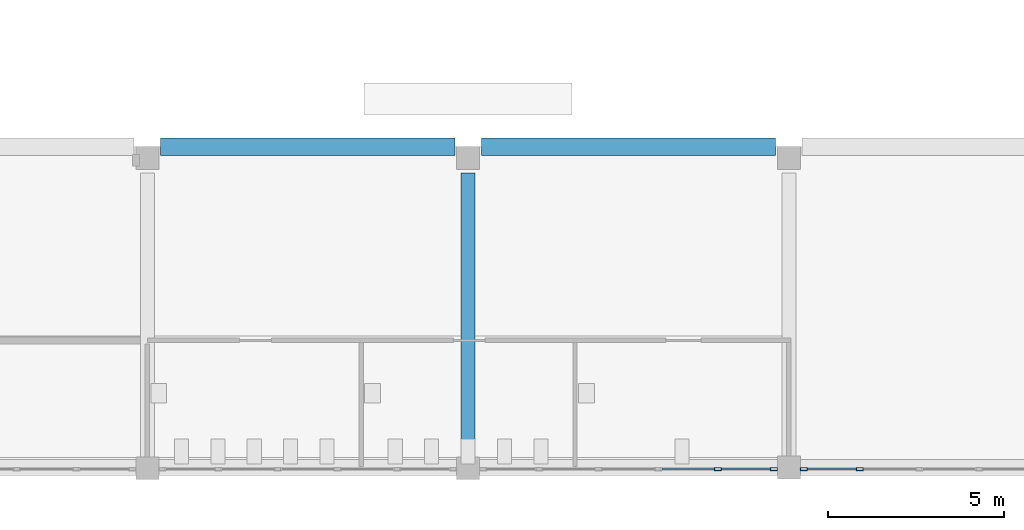
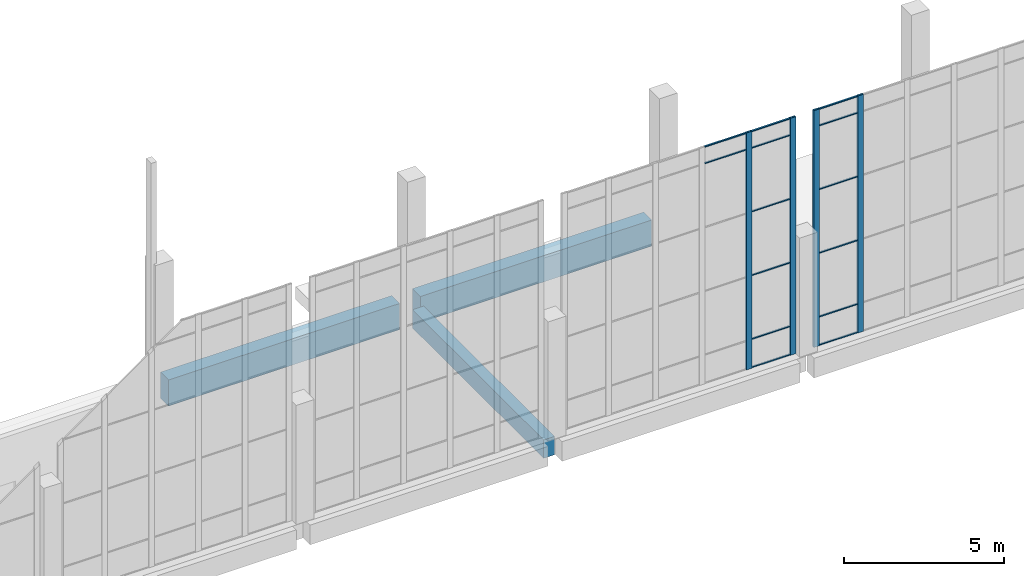
# One storey, part 12 of 91: 18 members, 3 beams, 2 elements without a shape of their own.
"""IFC4 building model written with IfcOpenShell, lengths in metres."""

from ifc_helpers import new_model, si_unit, direction, frame, origin, origin_2d, place, context, subcontext, project, spatial, rectangle, hollow_rectangle, extrude, material, layer, layer_set, material_profile, profile_set, type_object, element, aggregate, save


model = new_model("IFC4")

# Units and contexts
model_context = context("Model", 3, precision=1e-05, world=origin(), true_north=direction((0.0, 1.0)))
body_context = subcontext(model_context, "Body", "Model", "MODEL_VIEW")
ifc_project = project(units=[si_unit("LENGTHUNIT", "METRE"), si_unit("AREAUNIT", "SQUARE_METRE"), si_unit("VOLUMEUNIT", "CUBIC_METRE"), si_unit("PLANEANGLEUNIT", "RADIAN"), si_unit("MASSUNIT", "GRAM", prefix="KILO")], contexts=[model_context])

# Site, building, storey
site_placement = place(None, origin())
site = spatial("IfcSite", under=ifc_project, at=site_placement, CompositionType="ELEMENT")
building_placement = place(site_placement, origin())
building = spatial("IfcBuilding", under=site, at=building_placement, Name="Shirokan Park Arena", CompositionType="ELEMENT")
storey_placement = place(building_placement, frame((0.0, 0.0, 24.570068359375)))
storey = spatial("IfcBuildingStorey", under=building, at=storey_placement, Name="L05", CompositionType="ELEMENT", Elevation=24.570068359375)

# Curtain wall, members
ifc_material_1 = material(Name="Steel and glass curtain wall", Category="steel")
ifc_layer = layer(ifc_material_1, 0.199951171875)
ifc_layer_set = layer_set([ifc_layer], Name="Steel and glass curtain wall 200 mm")
curtain_wall_type = type_object("IfcCurtainWallType", Name="Curtain wall hall bay 200", PredefinedType="NOTDEFINED", material=ifc_layer_set)
curtain_wall_1_placement = place(storey_placement, origin())
curtain_wall_1 = element("IfcCurtainWall", 1, at=curtain_wall_1_placement, inside=storey, type_object=curtain_wall_type, Name="Curtain wall south bay 9 L05", PredefinedType="NOTDEFINED")
ifc_material_2 = material(Name="Steel S355", Category="steel")
ifc_material_profile_1 = material_profile(ifc_material_2, hollow_rectangle(XDim=0.080078125, YDim=0.199951171875, WallThickness=0.008056640625, at=origin_2d()), Name="RHS 200x80x8")
ifc_profile_set_1 = profile_set([ifc_material_profile_1], Name="Steel S355")
member_type_1 = type_object("IfcMemberType", Name="Mullion RHS 200x80x8", PredefinedType="MULLION", material=ifc_profile_set_1)
member_1_placement = place(storey_placement, frame((79.885009765625, -0.050048828125, 0.0), z_axis=(0.0, 0.0, 1.0), x_axis=(0.0, 1.0, 0.0)))
member_1 = element("IfcMember", 2, at=member_1_placement, type_object=member_type_1, Name="CW5 mullion 5", PredefinedType="MULLION", context=body_context, shape_type="SweptSolid", body=[
    extrude(hollow_rectangle(XDim=0.080078125, YDim=0.199951171875, WallThickness=0.008056640625, at=origin_2d()), origin(), (0.0, 0.0, 1.0), 9.050048828125),
])
member_2_placement = place(storey_placement, frame((81.47509765625, -0.050048828125, 0.0), z_axis=(0.0, 0.0, 1.0), x_axis=(0.0, 1.0, 0.0)))
member_2 = element("IfcMember", 3, at=member_2_placement, type_object=member_type_1, Name="CW5 mullion 6", PredefinedType="MULLION", context=body_context, shape_type="SweptSolid", body=[
    extrude(hollow_rectangle(XDim=0.080078125, YDim=0.199951171875, WallThickness=0.008056640625, at=origin_2d()), origin(), (0.0, 0.0, 1.0), 9.050048828125),
])

curtain_wall_2_placement = place(storey_placement, origin())
curtain_wall_2 = element("IfcCurtainWall", 4, at=curtain_wall_2_placement, inside=storey, type_object=curtain_wall_type, Name="Curtain wall south bay 10 L05", PredefinedType="NOTDEFINED")
member_3_placement = place(storey_placement, frame((82.324951171875, -0.050048828125, 0.0), z_axis=(0.0, 0.0, 1.0), x_axis=(0.0, 1.0, 0.0)))
member_3 = element("IfcMember", 5, at=member_3_placement, type_object=member_type_1, Name="CW5 mullion 1", PredefinedType="MULLION", context=body_context, shape_type="SweptSolid", body=[
    extrude(hollow_rectangle(XDim=0.080078125, YDim=0.199951171875, WallThickness=0.008056640625, at=origin_2d()), origin(), (0.0, 0.0, 1.0), 9.050048828125),
])
member_4_placement = place(storey_placement, frame((83.9150390625, -0.050048828125, 0.0), z_axis=(0.0, 0.0, 1.0), x_axis=(0.0, 1.0, 0.0)))
member_4 = element("IfcMember", 6, at=member_4_placement, type_object=member_type_1, Name="CW5 mullion 2", PredefinedType="MULLION", context=body_context, shape_type="SweptSolid", body=[
    extrude(hollow_rectangle(XDim=0.080078125, YDim=0.199951171875, WallThickness=0.008056640625, at=origin_2d()), origin(), (0.0, 0.0, 1.0), 9.050048828125),
])

# Beams
ifc_material_3 = material(Name="Concrete C35", Category="concrete")
ifc_material_profile_2 = material_profile(ifc_material_3, rectangle(XDim=0.39990234375, YDim=0.699951171875, at=origin_2d()), Name="400x700")
ifc_profile_set_2 = profile_set([ifc_material_profile_2], Name="Concrete C35")
beam_type_1 = type_object("IfcBeamType", Name="RC girder 400x700", PredefinedType="BEAM", material=ifc_profile_set_2)
beam_1_placement = place(storey_placement, frame((72.800048828125, 0.150146484375, -0.650146484375), z_axis=(0.0, 1.0, 0.0), x_axis=(-1.0, 0.0, 0.0)))
element("IfcBeam", 7, at=beam_1_placement, inside=storey, type_object=beam_type_1, Name="Girder 9A-9B L05", PredefinedType="BEAM", context=body_context, shape_type="SweptSolid", body=[
    extrude(rectangle(XDim=0.39990234375, YDim=0.699951171875, at=origin_2d()), origin(), (0.0, 0.0, 1.0), 8.19970703125),
])
ifc_material_profile_3 = material_profile(ifc_material_3, rectangle(XDim=0.5, YDim=1.0, at=origin_2d()), Name="500x1000")
ifc_profile_set_3 = profile_set([ifc_material_profile_3], Name="Concrete C35")
beam_type_2 = type_object("IfcBeamType", Name="RC girder 500x1000", PredefinedType="BEAM", material=ifc_profile_set_3)
beam_2_placement = place(storey_placement, frame((64.0751953125, 9.10009765625, -0.800048828125), z_axis=(1.0, 0.0, 0.0), x_axis=(0.0, 1.0, 0.0)))
element("IfcBeam", 8, at=beam_2_placement, inside=storey, type_object=beam_type_2, Name="Girder 8B-9B L05", PredefinedType="BEAM", context=body_context, shape_type="SweptSolid", body=[
    extrude(rectangle(XDim=0.5, YDim=1.0, at=origin_2d()), origin(), (0.0, 0.0, 1.0), 8.349609375),
])
beam_3_placement = place(storey_placement, frame((73.175048828125, 9.10009765625, -0.800048828125), z_axis=(1.0, 0.0, 0.0), x_axis=(0.0, 1.0, 0.0)))
element("IfcBeam", 9, at=beam_3_placement, inside=storey, type_object=beam_type_2, Name="Girder 9B-10B L05", PredefinedType="BEAM", context=body_context, shape_type="SweptSolid", body=[
    extrude(rectangle(XDim=0.5, YDim=1.0, at=origin_2d()), origin(), (0.0, 0.0, 1.0), 8.349853515625),
])

# Member
ifc_material_profile_4 = material_profile(ifc_material_2, hollow_rectangle(XDim=0.06005859375, YDim=0.0400390625, WallThickness=0.00390625, at=origin_2d()), Name="RHS 60x40x4")
ifc_profile_set_4 = profile_set([ifc_material_profile_4], Name="Steel S355")
member_type_2 = type_object("IfcMemberType", Name="Transom RHS 60x40x4", PredefinedType="MULLION", material=ifc_profile_set_4)
member_5_placement = place(storey_placement, frame((78.294921875, -0.050048828125, 8.39990234375), z_axis=(1.0, 0.0, 0.0), x_axis=(0.0, 1.0, 0.0)))
member_5 = element("IfcMember", 10, at=member_5_placement, type_object=member_type_2, Name="CW5 transom 4.5", PredefinedType="MULLION", context=body_context, shape_type="SweptSolid", body=[
    extrude(hollow_rectangle(XDim=0.06005859375, YDim=0.0400390625, WallThickness=0.00390625, at=origin_2d()), origin(), (0.0, 0.0, 1.0), 1.489990234375),
])

member_6_placement = place(storey_placement, frame((78.294921875, -0.050048828125, 9.030029296875), z_axis=(1.0, 0.0, 0.0), x_axis=(0.0, 1.0, 0.0)))
member_6 = element("IfcMember", 11, at=member_6_placement, type_object=member_type_2, Name="CW5 transom 4.6", PredefinedType="MULLION", context=body_context, shape_type="SweptSolid", body=[
    extrude(hollow_rectangle(XDim=0.06005859375, YDim=0.0400390625, WallThickness=0.00390625, at=origin_2d()), origin(), (0.0, 0.0, 1.0), 1.489990234375),
])

member_7_placement = place(storey_placement, frame((79.985107421875, -0.050048828125, 0.02001953125), z_axis=(1.0, 0.0, 0.0), x_axis=(0.0, 1.0, 0.0)))
member_7 = element("IfcMember", 12, at=member_7_placement, type_object=member_type_2, Name="CW5 transom 5.1", PredefinedType="MULLION", context=body_context, shape_type="SweptSolid", body=[
    extrude(hollow_rectangle(XDim=0.06005859375, YDim=0.0400390625, WallThickness=0.00390625, at=origin_2d()), origin(), (0.0, 0.0, 1.0), 1.389892578125),
])

member_8_placement = place(storey_placement, frame((79.985107421875, -0.050048828125, 1.099853515625), z_axis=(1.0, 0.0, 0.0), x_axis=(0.0, 1.0, 0.0)))
member_8 = element("IfcMember", 13, at=member_8_placement, type_object=member_type_2, Name="CW5 transom 5.2", PredefinedType="MULLION", context=body_context, shape_type="SweptSolid", body=[
    extrude(hollow_rectangle(XDim=0.06005859375, YDim=0.0400390625, WallThickness=0.00390625, at=origin_2d()), origin(), (0.0, 0.0, 1.0), 1.389892578125),
])

member_9_placement = place(storey_placement, frame((79.985107421875, -0.050048828125, 3.533203125), z_axis=(1.0, 0.0, 0.0), x_axis=(0.0, 1.0, 0.0)))
member_9 = element("IfcMember", 14, at=member_9_placement, type_object=member_type_2, Name="CW5 transom 5.3", PredefinedType="MULLION", context=body_context, shape_type="SweptSolid", body=[
    extrude(hollow_rectangle(XDim=0.06005859375, YDim=0.0400390625, WallThickness=0.00390625, at=origin_2d()), origin(), (0.0, 0.0, 1.0), 1.389892578125),
])

member_10_placement = place(storey_placement, frame((79.985107421875, -0.050048828125, 5.966552734375), z_axis=(1.0, 0.0, 0.0), x_axis=(0.0, 1.0, 0.0)))
member_10 = element("IfcMember", 15, at=member_10_placement, type_object=member_type_2, Name="CW5 transom 5.4", PredefinedType="MULLION", context=body_context, shape_type="SweptSolid", body=[
    extrude(hollow_rectangle(XDim=0.06005859375, YDim=0.0400390625, WallThickness=0.00390625, at=origin_2d()), origin(), (0.0, 0.0, 1.0), 1.389892578125),
])

member_11_placement = place(storey_placement, frame((79.985107421875, -0.050048828125, 8.39990234375), z_axis=(1.0, 0.0, 0.0), x_axis=(0.0, 1.0, 0.0)))
member_11 = element("IfcMember", 16, at=member_11_placement, type_object=member_type_2, Name="CW5 transom 5.5", PredefinedType="MULLION", context=body_context, shape_type="SweptSolid", body=[
    extrude(hollow_rectangle(XDim=0.06005859375, YDim=0.0400390625, WallThickness=0.00390625, at=origin_2d()), origin(), (0.0, 0.0, 1.0), 1.389892578125),
])

member_12_placement = place(storey_placement, frame((79.985107421875, -0.050048828125, 9.030029296875), z_axis=(1.0, 0.0, 0.0), x_axis=(0.0, 1.0, 0.0)))
member_12 = element("IfcMember", 17, at=member_12_placement, type_object=member_type_2, Name="CW5 transom 5.6", PredefinedType="MULLION", context=body_context, shape_type="SweptSolid", body=[
    extrude(hollow_rectangle(XDim=0.06005859375, YDim=0.0400390625, WallThickness=0.00390625, at=origin_2d()), origin(), (0.0, 0.0, 1.0), 1.389892578125),
])

aggregate(curtain_wall_1, [member_1, member_2, member_5, member_6, member_7, member_8, member_9, member_10, member_11, member_12])

member_13_placement = place(storey_placement, frame((82.425048828125, -0.050048828125, 0.02001953125), z_axis=(1.0, 0.0, 0.0), x_axis=(0.0, 1.0, 0.0)))
member_13 = element("IfcMember", 18, at=member_13_placement, type_object=member_type_2, Name="CW5 transom 1.1", PredefinedType="MULLION", context=body_context, shape_type="SweptSolid", body=[
    extrude(hollow_rectangle(XDim=0.06005859375, YDim=0.0400390625, WallThickness=0.00390625, at=origin_2d()), origin(), (0.0, 0.0, 1.0), 1.389892578125),
])

member_14_placement = place(storey_placement, frame((82.425048828125, -0.050048828125, 1.099853515625), z_axis=(1.0, 0.0, 0.0), x_axis=(0.0, 1.0, 0.0)))
member_14 = element("IfcMember", 19, at=member_14_placement, type_object=member_type_2, Name="CW5 transom 1.2", PredefinedType="MULLION", context=body_context, shape_type="SweptSolid", body=[
    extrude(hollow_rectangle(XDim=0.06005859375, YDim=0.0400390625, WallThickness=0.00390625, at=origin_2d()), origin(), (0.0, 0.0, 1.0), 1.389892578125),
])

member_15_placement = place(storey_placement, frame((82.425048828125, -0.050048828125, 3.533203125), z_axis=(1.0, 0.0, 0.0), x_axis=(0.0, 1.0, 0.0)))
member_15 = element("IfcMember", 20, at=member_15_placement, type_object=member_type_2, Name="CW5 transom 1.3", PredefinedType="MULLION", context=body_context, shape_type="SweptSolid", body=[
    extrude(hollow_rectangle(XDim=0.06005859375, YDim=0.0400390625, WallThickness=0.00390625, at=origin_2d()), origin(), (0.0, 0.0, 1.0), 1.389892578125),
])

member_16_placement = place(storey_placement, frame((82.425048828125, -0.050048828125, 5.966552734375), z_axis=(1.0, 0.0, 0.0), x_axis=(0.0, 1.0, 0.0)))
member_16 = element("IfcMember", 21, at=member_16_placement, type_object=member_type_2, Name="CW5 transom 1.4", PredefinedType="MULLION", context=body_context, shape_type="SweptSolid", body=[
    extrude(hollow_rectangle(XDim=0.06005859375, YDim=0.0400390625, WallThickness=0.00390625, at=origin_2d()), origin(), (0.0, 0.0, 1.0), 1.389892578125),
])

member_17_placement = place(storey_placement, frame((82.425048828125, -0.050048828125, 8.39990234375), z_axis=(1.0, 0.0, 0.0), x_axis=(0.0, 1.0, 0.0)))
member_17 = element("IfcMember", 22, at=member_17_placement, type_object=member_type_2, Name="CW5 transom 1.5", PredefinedType="MULLION", context=body_context, shape_type="SweptSolid", body=[
    extrude(hollow_rectangle(XDim=0.06005859375, YDim=0.0400390625, WallThickness=0.00390625, at=origin_2d()), origin(), (0.0, 0.0, 1.0), 1.389892578125),
])

member_18_placement = place(storey_placement, frame((82.425048828125, -0.050048828125, 9.030029296875), z_axis=(1.0, 0.0, 0.0), x_axis=(0.0, 1.0, 0.0)))
member_18 = element("IfcMember", 23, at=member_18_placement, type_object=member_type_2, Name="CW5 transom 1.6", PredefinedType="MULLION", context=body_context, shape_type="SweptSolid", body=[
    extrude(hollow_rectangle(XDim=0.06005859375, YDim=0.0400390625, WallThickness=0.00390625, at=origin_2d()), origin(), (0.0, 0.0, 1.0), 1.389892578125),
])

aggregate(curtain_wall_2, [member_3, member_4, member_13, member_14, member_15, member_16, member_17, member_18])

save(model, "model.ifc")
